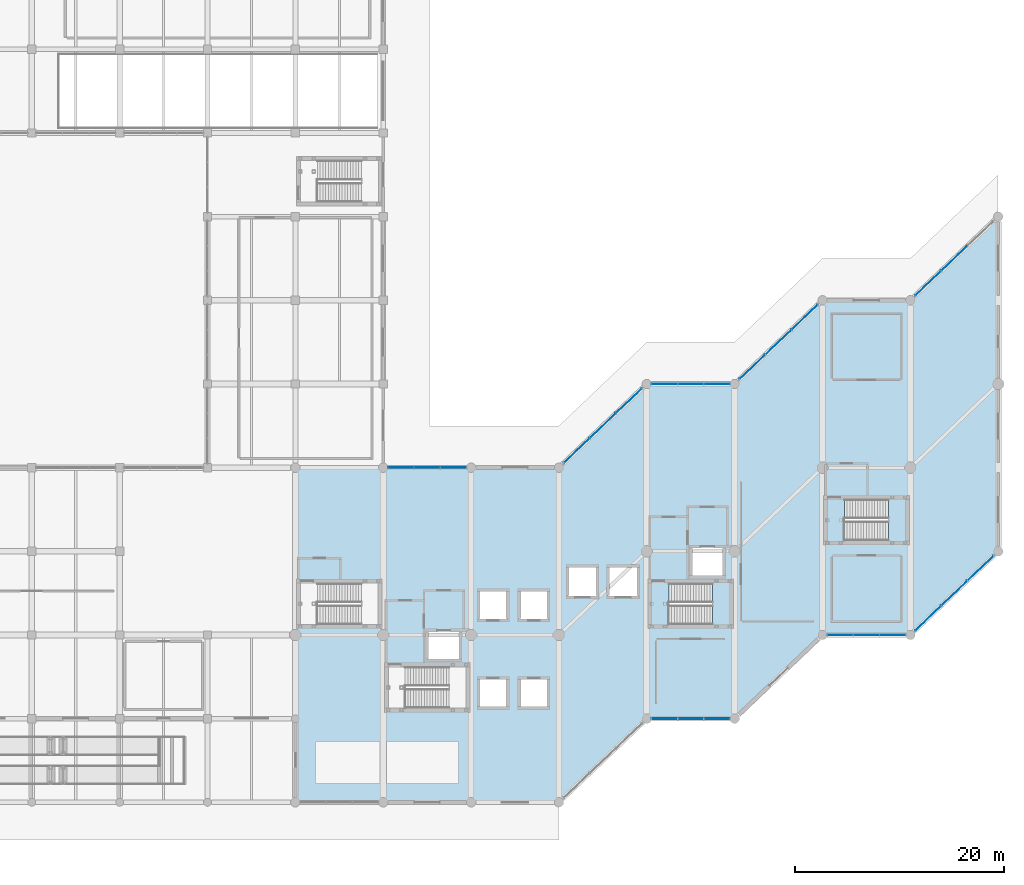
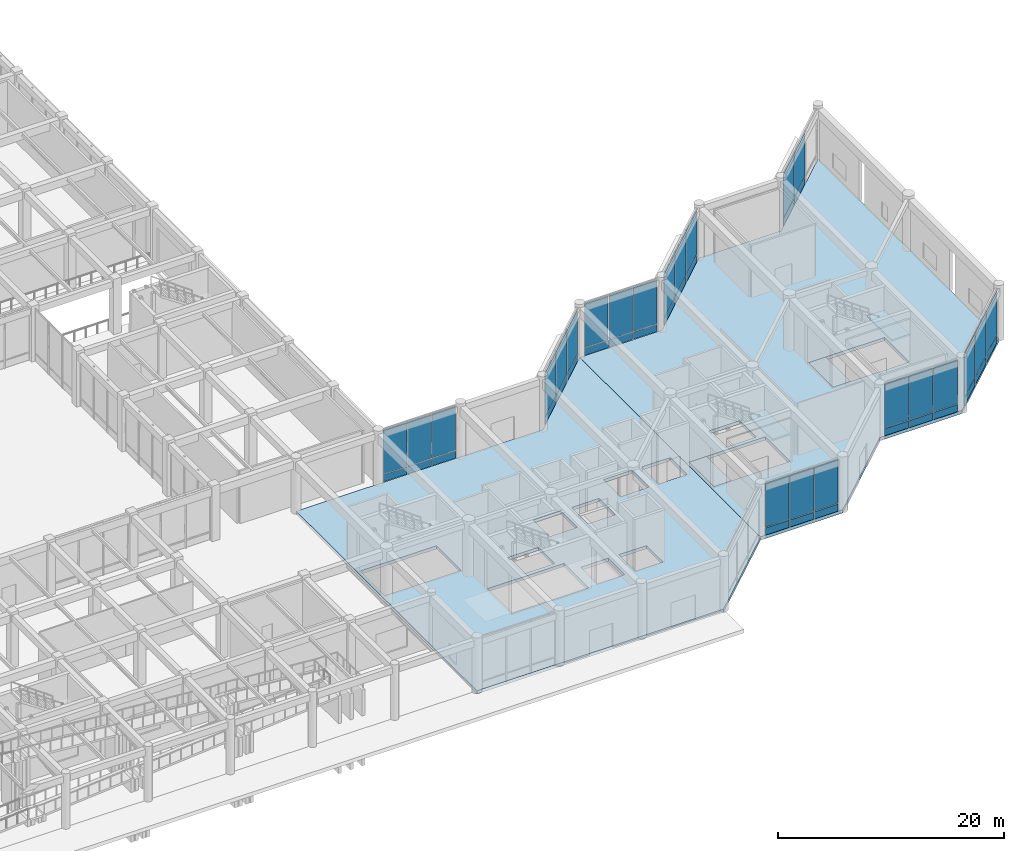
# One storey, part 47 of 76: 46 plates, 6 slabs, 10 elements without a shape of their own.
"""IFC4 building model written with IfcOpenShell, lengths in metres."""

from ifc_helpers import new_model, si_unit, direction, frame, origin, origin_2d, place, context, subcontext, project, spatial, polyline, rectangle, outline, extrude, material, layer, layer_set, type_object, element, aggregate, save


model = new_model("IFC4")

# Units and contexts
model_context = context("Model", 3, precision=1e-05, world=origin(), true_north=direction((0.0, 1.0)))
body_context = subcontext(model_context, "Body", "Model", "MODEL_VIEW")
ifc_project = project(units=[si_unit("LENGTHUNIT", "METRE"), si_unit("AREAUNIT", "SQUARE_METRE"), si_unit("VOLUMEUNIT", "CUBIC_METRE"), si_unit("PLANEANGLEUNIT", "RADIAN"), si_unit("MASSUNIT", "GRAM", prefix="KILO")], contexts=[model_context])

# Site, building, storey
site_placement = place(None, origin())
site = spatial("IfcSite", under=ifc_project, at=site_placement, CompositionType="ELEMENT")
building_placement = place(site_placement, origin())
building = spatial("IfcBuilding", under=site, at=building_placement, Name="Naruveol Harbour Congress Hotel", CompositionType="ELEMENT")
storey_placement = place(building_placement, origin())
storey = spatial("IfcBuildingStorey", under=building, at=storey_placement, Name="L00", CompositionType="ELEMENT", Elevation=0.0)

# Curtain wall, plates
ifc_material_1 = material(Name="Low-E Curtain Wall System", Category="glass")
ifc_layer_1 = layer(ifc_material_1, 0.179931640625)
ifc_layer_set_1 = layer_set([ifc_layer_1], Name="Low-E Curtain Wall System")
curtain_wall_type_1 = type_object("IfcCurtainWallType", Name="UNITISED CURTAIN WALL CW-V5N-47 7500X5720", PredefinedType="USERDEFINED", material=ifc_layer_set_1)
curtain_wall_1_placement = place(storey_placement, origin())
curtain_wall_1 = element("IfcCurtainWall", 1, at=curtain_wall_1_placement, inside=storey, type_object=curtain_wall_type_1, Name="Unitised curtain wall CW-V5N-47 L00", ObjectType="UNITISED GLAZING", PredefinedType="USERDEFINED")
ifc_material_2 = material(Name="Anodised Aluminium Spandrel", Category="aluminium")
ifc_layer_2 = layer(ifc_material_2, 0.054931640625)
ifc_layer_set_2 = layer_set([ifc_layer_2], Name="Anodised Aluminium Spandrel")
plate_type_1 = type_object("IfcPlateType", Name="INSULATED CERAMIC SPANDREL PANEL 55", PredefinedType="CURTAIN_PANEL", material=ifc_layer_set_2)
plate_1_placement = place(storey_placement, frame((127.699951171875, 32.010009765625, 0.0400390625), z_axis=(0.0, 0.0, 1.0), x_axis=(1.0, 0.0, 0.0)))
plate_1 = element("IfcPlate", 2, at=plate_1_placement, type_object=plate_type_1, Name="Curtain wall spandrel panel CW-L00-0127-PS0", PredefinedType="CURTAIN_PANEL", context=body_context, shape_type="SweptSolid", body=[
    extrude(rectangle(XDim=2.419921875, YDim=0.054931640625, at=origin_2d()), origin(), (0.0, 0.0, 1.0), 0.77001953125),
])
plate_2_placement = place(storey_placement, frame((130.199951171875, 32.010009765625, 0.0400390625), z_axis=(0.0, 0.0, 1.0), x_axis=(1.0, 0.0, 0.0)))
plate_2 = element("IfcPlate", 3, at=plate_2_placement, type_object=plate_type_1, Name="Curtain wall spandrel panel CW-L00-0127-PS1", PredefinedType="CURTAIN_PANEL", context=body_context, shape_type="SweptSolid", body=[
    extrude(rectangle(XDim=2.419921875, YDim=0.054931640625, at=origin_2d()), origin(), (0.0, 0.0, 1.0), 0.77001953125),
])
plate_3_placement = place(storey_placement, frame((132.699951171875, 32.010009765625, 0.0400390625), z_axis=(0.0, 0.0, 1.0), x_axis=(1.0, 0.0, 0.0)))
plate_3 = element("IfcPlate", 4, at=plate_3_placement, type_object=plate_type_1, Name="Curtain wall spandrel panel CW-L00-0127-PS2", PredefinedType="CURTAIN_PANEL", context=body_context, shape_type="SweptSolid", body=[
    extrude(rectangle(XDim=2.419921875, YDim=0.054931640625, at=origin_2d()), origin(), (0.0, 0.0, 1.0), 0.77001953125),
])

ifc_material_3 = material(Name="Low-E Curtain Wall System", Category="glass")
ifc_layer_3 = layer(ifc_material_3, 0.179931640625)
ifc_layer_set_3 = layer_set([ifc_layer_3], Name="Low-E Curtain Wall System")
curtain_wall_type_2 = type_object("IfcCurtainWallType", Name="UNITISED CURTAIN WALL CW-V5N-49 10357X5720", PredefinedType="USERDEFINED", material=ifc_layer_set_3)
curtain_wall_2_placement = place(storey_placement, origin())
curtain_wall_2 = element("IfcCurtainWall", 5, at=curtain_wall_2_placement, inside=storey, type_object=curtain_wall_type_2, Name="Unitised curtain wall CW-V5N-49 L00", ObjectType="UNITISED GLAZING", PredefinedType="USERDEFINED")
plate_4_placement = place(storey_placement, frame((144.4931640625, 33.626708984375, 0.0400390625), z_axis=(0.0, 0.0, 1.0), x_axis=(0.724183897459, 0.689606904447, 0.0)))
plate_4 = element("IfcPlate", 6, at=plate_4_placement, type_object=plate_type_1, Name="Curtain wall spandrel panel CW-L00-0129-PS0", PredefinedType="CURTAIN_PANEL", context=body_context, shape_type="SweptSolid", body=[
    extrude(rectangle(XDim=3.3720703125, YDim=0.054931640625, at=origin_2d()), origin(), (0.0, 0.0, 1.0), 0.77001953125),
])
plate_5_placement = place(storey_placement, frame((146.9931640625, 36.007080078125, 0.0400390625), z_axis=(0.0, 0.0, 1.0), x_axis=(0.724183897459, 0.689606904447, 0.0)))
plate_5 = element("IfcPlate", 7, at=plate_5_placement, type_object=plate_type_1, Name="Curtain wall spandrel panel CW-L00-0129-PS1", PredefinedType="CURTAIN_PANEL", context=body_context, shape_type="SweptSolid", body=[
    extrude(rectangle(XDim=3.3720703125, YDim=0.054931640625, at=origin_2d()), origin(), (0.0, 0.0, 1.0), 0.77001953125),
])
plate_6_placement = place(storey_placement, frame((149.4931640625, 38.387939453125, 0.0400390625), z_axis=(0.0, 0.0, 1.0), x_axis=(0.724183897459, 0.689606904447, 0.0)))
plate_6 = element("IfcPlate", 8, at=plate_6_placement, type_object=plate_type_1, Name="Curtain wall spandrel panel CW-L00-0129-PS2", PredefinedType="CURTAIN_PANEL", context=body_context, shape_type="SweptSolid", body=[
    extrude(rectangle(XDim=3.3720703125, YDim=0.054931640625, at=origin_2d()), origin(), (0.0, 0.0, 1.0), 0.77001953125),
])

ifc_material_4 = material(Name="Low-E Curtain Wall System", Category="glass")
ifc_layer_4 = layer(ifc_material_4, 0.179931640625)
ifc_layer_set_4 = layer_set([ifc_layer_4], Name="Low-E Curtain Wall System")
curtain_wall_type_3 = type_object("IfcCurtainWallType", Name="UNITISED CURTAIN WALL CW-V5S-46 7500X5720", PredefinedType="USERDEFINED", material=ifc_layer_set_4)
curtain_wall_3_placement = place(storey_placement, origin())
curtain_wall_3 = element("IfcCurtainWall", 9, at=curtain_wall_3_placement, inside=storey, type_object=curtain_wall_type_3, Name="Unitised curtain wall CW-V5S-46 L00", ObjectType="UNITISED GLAZING", PredefinedType="USERDEFINED")
plate_7_placement = place(storey_placement, frame((157.89990234375, 7.989990234375, 0.0400390625), z_axis=(0.0, 0.0, 1.0), x_axis=(-1.0, 0.0, 0.0)))
plate_7 = element("IfcPlate", 10, at=plate_7_placement, type_object=plate_type_1, Name="Curtain wall spandrel panel CW-L00-0130-PS0", PredefinedType="CURTAIN_PANEL", context=body_context, shape_type="SweptSolid", body=[
    extrude(rectangle(XDim=2.419921875, YDim=0.054931640625, at=origin_2d()), origin(), (0.0, 0.0, 1.0), 0.77001953125),
])
plate_8_placement = place(storey_placement, frame((155.39990234375, 7.989990234375, 0.0400390625), z_axis=(0.0, 0.0, 1.0), x_axis=(-1.0, 0.0, 0.0)))
plate_8 = element("IfcPlate", 11, at=plate_8_placement, type_object=plate_type_1, Name="Curtain wall spandrel panel CW-L00-0130-PS1", PredefinedType="CURTAIN_PANEL", context=body_context, shape_type="SweptSolid", body=[
    extrude(rectangle(XDim=2.419921875, YDim=0.054931640625, at=origin_2d()), origin(), (0.0, 0.0, 1.0), 0.77001953125),
])
plate_9_placement = place(storey_placement, frame((152.89990234375, 7.989990234375, 0.0400390625), z_axis=(0.0, 0.0, 1.0), x_axis=(-1.0, 0.0, 0.0)))
plate_9 = element("IfcPlate", 12, at=plate_9_placement, type_object=plate_type_1, Name="Curtain wall spandrel panel CW-L00-0130-PS2", PredefinedType="CURTAIN_PANEL", context=body_context, shape_type="SweptSolid", body=[
    extrude(rectangle(XDim=2.419921875, YDim=0.054931640625, at=origin_2d()), origin(), (0.0, 0.0, 1.0), 0.77001953125),
])

curtain_wall_4_placement = place(storey_placement, origin())
curtain_wall_4 = element("IfcCurtainWall", 13, at=curtain_wall_4_placement, inside=storey, type_object=curtain_wall_type_1, Name="Unitised curtain wall CW-V5N-47 L00", ObjectType="UNITISED GLAZING", PredefinedType="USERDEFINED")
plate_10_placement = place(storey_placement, frame((152.89990234375, 40.010009765625, 0.0400390625), z_axis=(0.0, 0.0, 1.0), x_axis=(1.0, 0.0, 0.0)))
plate_10 = element("IfcPlate", 14, at=plate_10_placement, type_object=plate_type_1, Name="Curtain wall spandrel panel CW-L00-0131-PS0", PredefinedType="CURTAIN_PANEL", context=body_context, shape_type="SweptSolid", body=[
    extrude(rectangle(XDim=2.419921875, YDim=0.054931640625, at=origin_2d()), origin(), (0.0, 0.0, 1.0), 0.77001953125),
])
plate_11_placement = place(storey_placement, frame((155.39990234375, 40.010009765625, 0.0400390625), z_axis=(0.0, 0.0, 1.0), x_axis=(1.0, 0.0, 0.0)))
plate_11 = element("IfcPlate", 15, at=plate_11_placement, type_object=plate_type_1, Name="Curtain wall spandrel panel CW-L00-0131-PS1", PredefinedType="CURTAIN_PANEL", context=body_context, shape_type="SweptSolid", body=[
    extrude(rectangle(XDim=2.419921875, YDim=0.054931640625, at=origin_2d()), origin(), (0.0, 0.0, 1.0), 0.77001953125),
])
plate_12_placement = place(storey_placement, frame((157.89990234375, 40.010009765625, 0.0400390625), z_axis=(0.0, 0.0, 1.0), x_axis=(1.0, 0.0, 0.0)))
plate_12 = element("IfcPlate", 16, at=plate_12_placement, type_object=plate_type_1, Name="Curtain wall spandrel panel CW-L00-0131-PS2", PredefinedType="CURTAIN_PANEL", context=body_context, shape_type="SweptSolid", body=[
    extrude(rectangle(XDim=2.419921875, YDim=0.054931640625, at=origin_2d()), origin(), (0.0, 0.0, 1.0), 0.77001953125),
])

curtain_wall_5_placement = place(storey_placement, origin())
curtain_wall_5 = element("IfcCurtainWall", 17, at=curtain_wall_5_placement, inside=storey, type_object=curtain_wall_type_2, Name="Unitised curtain wall CW-V5N-49 L00", ObjectType="UNITISED GLAZING", PredefinedType="USERDEFINED")
plate_13_placement = place(storey_placement, frame((161.293212890625, 41.626708984375, 0.0400390625), z_axis=(0.0, 0.0, 1.0), x_axis=(0.724183897459, 0.689606904447, 0.0)))
plate_13 = element("IfcPlate", 18, at=plate_13_placement, type_object=plate_type_1, Name="Curtain wall spandrel panel CW-L00-0132-PS0", PredefinedType="CURTAIN_PANEL", context=body_context, shape_type="SweptSolid", body=[
    extrude(rectangle(XDim=3.3720703125, YDim=0.054931640625, at=origin_2d()), origin(), (0.0, 0.0, 1.0), 0.77001953125),
])
plate_14_placement = place(storey_placement, frame((163.793212890625, 44.007080078125, 0.0400390625), z_axis=(0.0, 0.0, 1.0), x_axis=(0.724183897459, 0.689606904447, 0.0)))
plate_14 = element("IfcPlate", 19, at=plate_14_placement, type_object=plate_type_1, Name="Curtain wall spandrel panel CW-L00-0132-PS1", PredefinedType="CURTAIN_PANEL", context=body_context, shape_type="SweptSolid", body=[
    extrude(rectangle(XDim=3.3720703125, YDim=0.054931640625, at=origin_2d()), origin(), (0.0, 0.0, 1.0), 0.77001953125),
])
plate_15_placement = place(storey_placement, frame((166.293212890625, 46.387939453125, 0.0400390625), z_axis=(0.0, 0.0, 1.0), x_axis=(0.724183897459, 0.689606904447, 0.0)))
plate_15 = element("IfcPlate", 20, at=plate_15_placement, type_object=plate_type_1, Name="Curtain wall spandrel panel CW-L00-0132-PS2", PredefinedType="CURTAIN_PANEL", context=body_context, shape_type="SweptSolid", body=[
    extrude(rectangle(XDim=3.3720703125, YDim=0.054931640625, at=origin_2d()), origin(), (0.0, 0.0, 1.0), 0.77001953125),
])

curtain_wall_6_placement = place(storey_placement, origin())
curtain_wall_6 = element("IfcCurtainWall", 21, at=curtain_wall_6_placement, inside=storey, type_object=curtain_wall_type_3, Name="Unitised curtain wall CW-V5S-46 L00", ObjectType="UNITISED GLAZING", PredefinedType="USERDEFINED")
plate_16_placement = place(storey_placement, frame((174.699951171875, 15.989990234375, 0.0400390625), z_axis=(0.0, 0.0, 1.0), x_axis=(-1.0, 0.0, 0.0)))
plate_16 = element("IfcPlate", 22, at=plate_16_placement, type_object=plate_type_1, Name="Curtain wall spandrel panel CW-L00-0133-PS0", PredefinedType="CURTAIN_PANEL", context=body_context, shape_type="SweptSolid", body=[
    extrude(rectangle(XDim=2.419921875, YDim=0.054931640625, at=origin_2d()), origin(), (0.0, 0.0, 1.0), 0.77001953125),
])
plate_17_placement = place(storey_placement, frame((172.199951171875, 15.989990234375, 0.0400390625), z_axis=(0.0, 0.0, 1.0), x_axis=(-1.0, 0.0, 0.0)))
plate_17 = element("IfcPlate", 23, at=plate_17_placement, type_object=plate_type_1, Name="Curtain wall spandrel panel CW-L00-0133-PS1", PredefinedType="CURTAIN_PANEL", context=body_context, shape_type="SweptSolid", body=[
    extrude(rectangle(XDim=2.419921875, YDim=0.054931640625, at=origin_2d()), origin(), (0.0, 0.0, 1.0), 0.77001953125),
])
plate_18_placement = place(storey_placement, frame((169.699951171875, 15.989990234375, 0.0400390625), z_axis=(0.0, 0.0, 1.0), x_axis=(-1.0, 0.0, 0.0)))
plate_18 = element("IfcPlate", 24, at=plate_18_placement, type_object=plate_type_1, Name="Curtain wall spandrel panel CW-L00-0133-PS2", PredefinedType="CURTAIN_PANEL", context=body_context, shape_type="SweptSolid", body=[
    extrude(rectangle(XDim=2.419921875, YDim=0.054931640625, at=origin_2d()), origin(), (0.0, 0.0, 1.0), 0.77001953125),
])

ifc_material_5 = material(Name="Low-E Curtain Wall System", Category="glass")
ifc_layer_5 = layer(ifc_material_5, 0.179931640625)
ifc_layer_set_5 = layer_set([ifc_layer_5], Name="Low-E Curtain Wall System")
curtain_wall_type_4 = type_object("IfcCurtainWallType", Name="UNITISED CURTAIN WALL CW-V5S-48 10357X5720", PredefinedType="USERDEFINED", material=ifc_layer_set_5)
curtain_wall_7_placement = place(storey_placement, origin())
curtain_wall_7 = element("IfcCurtainWall", 25, at=curtain_wall_7_placement, inside=storey, type_object=curtain_wall_type_4, Name="Unitised curtain wall CW-V5S-48 L00", ObjectType="UNITISED GLAZING", PredefinedType="USERDEFINED")
plate_19_placement = place(storey_placement, frame((183.10693359375, 22.373291015625, 0.0400390625), z_axis=(0.0, 0.0, 1.0), x_axis=(-0.724183897459, -0.689606904447, 0.0)))
plate_19 = element("IfcPlate", 26, at=plate_19_placement, type_object=plate_type_1, Name="Curtain wall spandrel panel CW-L00-0134-PS0", PredefinedType="CURTAIN_PANEL", context=body_context, shape_type="SweptSolid", body=[
    extrude(rectangle(XDim=3.3720703125, YDim=0.054931640625, at=origin_2d()), origin(), (0.0, 0.0, 1.0), 0.77001953125),
])
plate_20_placement = place(storey_placement, frame((180.60693359375, 19.992919921875, 0.0400390625), z_axis=(0.0, 0.0, 1.0), x_axis=(-0.724183897459, -0.689606904447, 0.0)))
plate_20 = element("IfcPlate", 27, at=plate_20_placement, type_object=plate_type_1, Name="Curtain wall spandrel panel CW-L00-0134-PS1", PredefinedType="CURTAIN_PANEL", context=body_context, shape_type="SweptSolid", body=[
    extrude(rectangle(XDim=3.3720703125, YDim=0.054931640625, at=origin_2d()), origin(), (0.0, 0.0, 1.0), 0.77001953125),
])
plate_21_placement = place(storey_placement, frame((178.10693359375, 17.612060546875, 0.0400390625), z_axis=(0.0, 0.0, 1.0), x_axis=(-0.724183897459, -0.689606904447, 0.0)))
plate_21 = element("IfcPlate", 28, at=plate_21_placement, type_object=plate_type_1, Name="Curtain wall spandrel panel CW-L00-0134-PS2", PredefinedType="CURTAIN_PANEL", context=body_context, shape_type="SweptSolid", body=[
    extrude(rectangle(XDim=3.3720703125, YDim=0.054931640625, at=origin_2d()), origin(), (0.0, 0.0, 1.0), 0.77001953125),
])

curtain_wall_8_placement = place(storey_placement, origin())
curtain_wall_8 = element("IfcCurtainWall", 29, at=curtain_wall_8_placement, inside=storey, type_object=curtain_wall_type_2, Name="Unitised curtain wall CW-V5N-49 L00", ObjectType="UNITISED GLAZING", PredefinedType="USERDEFINED")
plate_22_placement = place(storey_placement, frame((178.093017578125, 49.626708984375, 0.0400390625), z_axis=(0.0, 0.0, 1.0), x_axis=(0.724183897459, 0.689606904447, 0.0)))
plate_22 = element("IfcPlate", 30, at=plate_22_placement, type_object=plate_type_1, Name="Curtain wall spandrel panel CW-L00-0135-PS0", PredefinedType="CURTAIN_PANEL", context=body_context, shape_type="SweptSolid", body=[
    extrude(rectangle(XDim=3.3720703125, YDim=0.054931640625, at=origin_2d()), origin(), (0.0, 0.0, 1.0), 0.77001953125),
])
plate_23_placement = place(storey_placement, frame((180.593017578125, 52.007080078125, 0.0400390625), z_axis=(0.0, 0.0, 1.0), x_axis=(0.724183897459, 0.689606904447, 0.0)))
plate_23 = element("IfcPlate", 31, at=plate_23_placement, type_object=plate_type_1, Name="Curtain wall spandrel panel CW-L00-0135-PS1", PredefinedType="CURTAIN_PANEL", context=body_context, shape_type="SweptSolid", body=[
    extrude(rectangle(XDim=3.3720703125, YDim=0.054931640625, at=origin_2d()), origin(), (0.0, 0.0, 1.0), 0.77001953125),
])

# Plate
ifc_material_6 = material(Name="Low-E Insulated Glass", Category="glass")
ifc_layer_6 = layer(ifc_material_6, 0.0419921875)
ifc_layer_set_6 = layer_set([ifc_layer_6], Name="Low-E Insulated Glass")
plate_type_2 = type_object("IfcPlateType", Name="LOW-E TRIPLE GLAZED CURTAIN PANEL 42", PredefinedType="CURTAIN_PANEL", material=ifc_layer_set_6)
plate_24_placement = place(storey_placement, frame((127.699951171875, 32.010009765625, 0.89013671875), z_axis=(0.0, 0.0, 1.0), x_axis=(1.0, 0.0, 0.0)))
plate_24 = element("IfcPlate", 32, at=plate_24_placement, type_object=plate_type_2, Name="Curtain wall vision panel CW-L00-0127-PG0", PredefinedType="CURTAIN_PANEL", context=body_context, shape_type="SweptSolid", body=[
    extrude(rectangle(XDim=2.419921875, YDim=0.0419921875, at=origin_2d()), origin(), (0.0, 0.0, 1.0), 4.7099609375),
])

plate_25_placement = place(storey_placement, frame((130.199951171875, 32.010009765625, 0.89013671875), z_axis=(0.0, 0.0, 1.0), x_axis=(1.0, 0.0, 0.0)))
plate_25 = element("IfcPlate", 33, at=plate_25_placement, type_object=plate_type_2, Name="Curtain wall vision panel CW-L00-0127-PG1", PredefinedType="CURTAIN_PANEL", context=body_context, shape_type="SweptSolid", body=[
    extrude(rectangle(XDim=2.419921875, YDim=0.0419921875, at=origin_2d()), origin(), (0.0, 0.0, 1.0), 4.7099609375),
])

plate_26_placement = place(storey_placement, frame((132.699951171875, 32.010009765625, 0.89013671875), z_axis=(0.0, 0.0, 1.0), x_axis=(1.0, 0.0, 0.0)))
plate_26 = element("IfcPlate", 34, at=plate_26_placement, type_object=plate_type_2, Name="Curtain wall vision panel CW-L00-0127-PG2", PredefinedType="CURTAIN_PANEL", context=body_context, shape_type="SweptSolid", body=[
    extrude(rectangle(XDim=2.419921875, YDim=0.0419921875, at=origin_2d()), origin(), (0.0, 0.0, 1.0), 4.7099609375),
])

aggregate(curtain_wall_1, [plate_1, plate_24, plate_2, plate_25, plate_3, plate_26])

plate_27_placement = place(storey_placement, frame((144.4931640625, 33.626708984375, 0.89013671875), z_axis=(0.0, 0.0, 1.0), x_axis=(0.724183897459, 0.689606904447, 0.0)))
plate_27 = element("IfcPlate", 35, at=plate_27_placement, type_object=plate_type_2, Name="Curtain wall vision panel CW-L00-0129-PG0", PredefinedType="CURTAIN_PANEL", context=body_context, shape_type="SweptSolid", body=[
    extrude(rectangle(XDim=3.3720703125, YDim=0.0419921875, at=origin_2d()), origin(), (0.0, 0.0, 1.0), 4.7099609375),
])

plate_28_placement = place(storey_placement, frame((146.9931640625, 36.007080078125, 0.89013671875), z_axis=(0.0, 0.0, 1.0), x_axis=(0.724183897459, 0.689606904447, 0.0)))
plate_28 = element("IfcPlate", 36, at=plate_28_placement, type_object=plate_type_2, Name="Curtain wall vision panel CW-L00-0129-PG1", PredefinedType="CURTAIN_PANEL", context=body_context, shape_type="SweptSolid", body=[
    extrude(rectangle(XDim=3.3720703125, YDim=0.0419921875, at=origin_2d()), origin(), (0.0, 0.0, 1.0), 4.7099609375),
])

plate_29_placement = place(storey_placement, frame((149.4931640625, 38.387939453125, 0.89013671875), z_axis=(0.0, 0.0, 1.0), x_axis=(0.724183897459, 0.689606904447, 0.0)))
plate_29 = element("IfcPlate", 37, at=plate_29_placement, type_object=plate_type_2, Name="Curtain wall vision panel CW-L00-0129-PG2", PredefinedType="CURTAIN_PANEL", context=body_context, shape_type="SweptSolid", body=[
    extrude(rectangle(XDim=3.3720703125, YDim=0.0419921875, at=origin_2d()), origin(), (0.0, 0.0, 1.0), 4.7099609375),
])

aggregate(curtain_wall_2, [plate_4, plate_27, plate_5, plate_28, plate_6, plate_29])

plate_30_placement = place(storey_placement, frame((157.89990234375, 7.989990234375, 0.89013671875), z_axis=(0.0, 0.0, 1.0), x_axis=(-1.0, 0.0, 0.0)))
plate_30 = element("IfcPlate", 38, at=plate_30_placement, type_object=plate_type_2, Name="Curtain wall vision panel CW-L00-0130-PG0", PredefinedType="CURTAIN_PANEL", context=body_context, shape_type="SweptSolid", body=[
    extrude(rectangle(XDim=2.419921875, YDim=0.0419921875, at=origin_2d()), origin(), (0.0, 0.0, 1.0), 4.7099609375),
])

plate_31_placement = place(storey_placement, frame((155.39990234375, 7.989990234375, 0.89013671875), z_axis=(0.0, 0.0, 1.0), x_axis=(-1.0, 0.0, 0.0)))
plate_31 = element("IfcPlate", 39, at=plate_31_placement, type_object=plate_type_2, Name="Curtain wall vision panel CW-L00-0130-PG1", PredefinedType="CURTAIN_PANEL", context=body_context, shape_type="SweptSolid", body=[
    extrude(rectangle(XDim=2.419921875, YDim=0.0419921875, at=origin_2d()), origin(), (0.0, 0.0, 1.0), 4.7099609375),
])

plate_32_placement = place(storey_placement, frame((152.89990234375, 7.989990234375, 0.89013671875), z_axis=(0.0, 0.0, 1.0), x_axis=(-1.0, 0.0, 0.0)))
plate_32 = element("IfcPlate", 40, at=plate_32_placement, type_object=plate_type_2, Name="Curtain wall vision panel CW-L00-0130-PG2", PredefinedType="CURTAIN_PANEL", context=body_context, shape_type="SweptSolid", body=[
    extrude(rectangle(XDim=2.419921875, YDim=0.0419921875, at=origin_2d()), origin(), (0.0, 0.0, 1.0), 4.7099609375),
])

aggregate(curtain_wall_3, [plate_7, plate_30, plate_8, plate_31, plate_9, plate_32])

plate_33_placement = place(storey_placement, frame((152.89990234375, 40.010009765625, 0.89013671875), z_axis=(0.0, 0.0, 1.0), x_axis=(1.0, 0.0, 0.0)))
plate_33 = element("IfcPlate", 41, at=plate_33_placement, type_object=plate_type_2, Name="Curtain wall vision panel CW-L00-0131-PG0", PredefinedType="CURTAIN_PANEL", context=body_context, shape_type="SweptSolid", body=[
    extrude(rectangle(XDim=2.419921875, YDim=0.0419921875, at=origin_2d()), origin(), (0.0, 0.0, 1.0), 4.7099609375),
])

plate_34_placement = place(storey_placement, frame((155.39990234375, 40.010009765625, 0.89013671875), z_axis=(0.0, 0.0, 1.0), x_axis=(1.0, 0.0, 0.0)))
plate_34 = element("IfcPlate", 42, at=plate_34_placement, type_object=plate_type_2, Name="Curtain wall vision panel CW-L00-0131-PG1", PredefinedType="CURTAIN_PANEL", context=body_context, shape_type="SweptSolid", body=[
    extrude(rectangle(XDim=2.419921875, YDim=0.0419921875, at=origin_2d()), origin(), (0.0, 0.0, 1.0), 4.7099609375),
])

plate_35_placement = place(storey_placement, frame((157.89990234375, 40.010009765625, 0.89013671875), z_axis=(0.0, 0.0, 1.0), x_axis=(1.0, 0.0, 0.0)))
plate_35 = element("IfcPlate", 43, at=plate_35_placement, type_object=plate_type_2, Name="Curtain wall vision panel CW-L00-0131-PG2", PredefinedType="CURTAIN_PANEL", context=body_context, shape_type="SweptSolid", body=[
    extrude(rectangle(XDim=2.419921875, YDim=0.0419921875, at=origin_2d()), origin(), (0.0, 0.0, 1.0), 4.7099609375),
])

aggregate(curtain_wall_4, [plate_10, plate_33, plate_11, plate_34, plate_12, plate_35])

plate_36_placement = place(storey_placement, frame((161.293212890625, 41.626708984375, 0.89013671875), z_axis=(0.0, 0.0, 1.0), x_axis=(0.724183897459, 0.689606904447, 0.0)))
plate_36 = element("IfcPlate", 44, at=plate_36_placement, type_object=plate_type_2, Name="Curtain wall vision panel CW-L00-0132-PG0", PredefinedType="CURTAIN_PANEL", context=body_context, shape_type="SweptSolid", body=[
    extrude(rectangle(XDim=3.3720703125, YDim=0.0419921875, at=origin_2d()), origin(), (0.0, 0.0, 1.0), 4.7099609375),
])

plate_37_placement = place(storey_placement, frame((163.793212890625, 44.007080078125, 0.89013671875), z_axis=(0.0, 0.0, 1.0), x_axis=(0.724183897459, 0.689606904447, 0.0)))
plate_37 = element("IfcPlate", 45, at=plate_37_placement, type_object=plate_type_2, Name="Curtain wall vision panel CW-L00-0132-PG1", PredefinedType="CURTAIN_PANEL", context=body_context, shape_type="SweptSolid", body=[
    extrude(rectangle(XDim=3.3720703125, YDim=0.0419921875, at=origin_2d()), origin(), (0.0, 0.0, 1.0), 4.7099609375),
])

plate_38_placement = place(storey_placement, frame((166.293212890625, 46.387939453125, 0.89013671875), z_axis=(0.0, 0.0, 1.0), x_axis=(0.724183897459, 0.689606904447, 0.0)))
plate_38 = element("IfcPlate", 46, at=plate_38_placement, type_object=plate_type_2, Name="Curtain wall vision panel CW-L00-0132-PG2", PredefinedType="CURTAIN_PANEL", context=body_context, shape_type="SweptSolid", body=[
    extrude(rectangle(XDim=3.3720703125, YDim=0.0419921875, at=origin_2d()), origin(), (0.0, 0.0, 1.0), 4.7099609375),
])

aggregate(curtain_wall_5, [plate_13, plate_36, plate_14, plate_37, plate_15, plate_38])

plate_39_placement = place(storey_placement, frame((174.699951171875, 15.989990234375, 0.89013671875), z_axis=(0.0, 0.0, 1.0), x_axis=(-1.0, 0.0, 0.0)))
plate_39 = element("IfcPlate", 47, at=plate_39_placement, type_object=plate_type_2, Name="Curtain wall vision panel CW-L00-0133-PG0", PredefinedType="CURTAIN_PANEL", context=body_context, shape_type="SweptSolid", body=[
    extrude(rectangle(XDim=2.419921875, YDim=0.0419921875, at=origin_2d()), origin(), (0.0, 0.0, 1.0), 4.7099609375),
])

plate_40_placement = place(storey_placement, frame((172.199951171875, 15.989990234375, 0.89013671875), z_axis=(0.0, 0.0, 1.0), x_axis=(-1.0, 0.0, 0.0)))
plate_40 = element("IfcPlate", 48, at=plate_40_placement, type_object=plate_type_2, Name="Curtain wall vision panel CW-L00-0133-PG1", PredefinedType="CURTAIN_PANEL", context=body_context, shape_type="SweptSolid", body=[
    extrude(rectangle(XDim=2.419921875, YDim=0.0419921875, at=origin_2d()), origin(), (0.0, 0.0, 1.0), 4.7099609375),
])

plate_41_placement = place(storey_placement, frame((169.699951171875, 15.989990234375, 0.89013671875), z_axis=(0.0, 0.0, 1.0), x_axis=(-1.0, 0.0, 0.0)))
plate_41 = element("IfcPlate", 49, at=plate_41_placement, type_object=plate_type_2, Name="Curtain wall vision panel CW-L00-0133-PG2", PredefinedType="CURTAIN_PANEL", context=body_context, shape_type="SweptSolid", body=[
    extrude(rectangle(XDim=2.419921875, YDim=0.0419921875, at=origin_2d()), origin(), (0.0, 0.0, 1.0), 4.7099609375),
])

aggregate(curtain_wall_6, [plate_16, plate_39, plate_17, plate_40, plate_18, plate_41])

plate_42_placement = place(storey_placement, frame((183.10693359375, 22.373291015625, 0.89013671875), z_axis=(0.0, 0.0, 1.0), x_axis=(-0.724183897459, -0.689606904447, 0.0)))
plate_42 = element("IfcPlate", 50, at=plate_42_placement, type_object=plate_type_2, Name="Curtain wall vision panel CW-L00-0134-PG0", PredefinedType="CURTAIN_PANEL", context=body_context, shape_type="SweptSolid", body=[
    extrude(rectangle(XDim=3.3720703125, YDim=0.0419921875, at=origin_2d()), origin(), (0.0, 0.0, 1.0), 4.7099609375),
])

plate_43_placement = place(storey_placement, frame((180.60693359375, 19.992919921875, 0.89013671875), z_axis=(0.0, 0.0, 1.0), x_axis=(-0.724183897459, -0.689606904447, 0.0)))
plate_43 = element("IfcPlate", 51, at=plate_43_placement, type_object=plate_type_2, Name="Curtain wall vision panel CW-L00-0134-PG1", PredefinedType="CURTAIN_PANEL", context=body_context, shape_type="SweptSolid", body=[
    extrude(rectangle(XDim=3.3720703125, YDim=0.0419921875, at=origin_2d()), origin(), (0.0, 0.0, 1.0), 4.7099609375),
])

plate_44_placement = place(storey_placement, frame((178.10693359375, 17.612060546875, 0.89013671875), z_axis=(0.0, 0.0, 1.0), x_axis=(-0.724183897459, -0.689606904447, 0.0)))
plate_44 = element("IfcPlate", 52, at=plate_44_placement, type_object=plate_type_2, Name="Curtain wall vision panel CW-L00-0134-PG2", PredefinedType="CURTAIN_PANEL", context=body_context, shape_type="SweptSolid", body=[
    extrude(rectangle(XDim=3.3720703125, YDim=0.0419921875, at=origin_2d()), origin(), (0.0, 0.0, 1.0), 4.7099609375),
])

aggregate(curtain_wall_7, [plate_19, plate_42, plate_20, plate_43, plate_21, plate_44])

plate_45_placement = place(storey_placement, frame((178.093017578125, 49.626708984375, 0.89013671875), z_axis=(0.0, 0.0, 1.0), x_axis=(0.724183897459, 0.689606904447, 0.0)))
plate_45 = element("IfcPlate", 53, at=plate_45_placement, type_object=plate_type_2, Name="Curtain wall vision panel CW-L00-0135-PG0", PredefinedType="CURTAIN_PANEL", context=body_context, shape_type="SweptSolid", body=[
    extrude(rectangle(XDim=3.3720703125, YDim=0.0419921875, at=origin_2d()), origin(), (0.0, 0.0, 1.0), 4.7099609375),
])

plate_46_placement = place(storey_placement, frame((180.593017578125, 52.007080078125, 0.89013671875), z_axis=(0.0, 0.0, 1.0), x_axis=(0.724183897459, 0.689606904447, 0.0)))
plate_46 = element("IfcPlate", 54, at=plate_46_placement, type_object=plate_type_2, Name="Curtain wall vision panel CW-L00-0135-PG1", PredefinedType="CURTAIN_PANEL", context=body_context, shape_type="SweptSolid", body=[
    extrude(rectangle(XDim=3.3720703125, YDim=0.0419921875, at=origin_2d()), origin(), (0.0, 0.0, 1.0), 4.7099609375),
])

aggregate(curtain_wall_8, [plate_22, plate_45, plate_23, plate_46])

# Slabs
ifc_material_7 = material(Name="Concrete C40/50", Category="concrete")
ifc_layer_7 = layer(ifc_material_7, 0.35009765625)
ifc_layer_set_7 = layer_set([ifc_layer_7], Name="Concrete C40/50")
slab_type_1 = type_object("IfcSlabType", Name="RC GROUND CONCOURSE SLAB 350", PredefinedType="FLOOR", material=ifc_layer_set_7)
slab_1_placement = place(storey_placement, frame((0.0, 0.0, -0.35009765625)))
element("IfcSlab", 55, at=slab_1_placement, inside=storey, type_object=slab_type_1, Name="Level L00 Waterfront hotel arrival west slab", PredefinedType="FLOOR", context=body_context, shape_type="SweptSolid", body=[
    extrude(outline(polyline([(117.60009765625, 0.0), (126.0, 0.0), (134.39990234375, 0.0), (142.800048828125, 0.0), (151.199951171875, 8.0), (151.199951171875, 40.0), (142.800048828125, 32.0), (134.39990234375, 32.0), (126.0, 32.0), (117.60009765625, 32.0), (117.60009765625, 0.0)]), holes=[polyline([(126.300048828125, 8.800048828125), (134.10009765625, 8.800048828125), (134.10009765625, 13.159912109375), (126.300048828125, 13.159912109375), (126.300048828125, 8.800048828125)]), polyline([(117.89990234375, 16.800048828125), (125.699951171875, 16.800048828125), (125.699951171875, 21.159912109375), (117.89990234375, 21.159912109375), (117.89990234375, 16.800048828125)]), polyline([(135.10009765625, 17.39990234375), (137.89990234375, 17.39990234375), (137.89990234375, 20.300048828125), (135.10009765625, 20.300048828125), (135.10009765625, 17.39990234375)]), polyline([(139.0, 17.39990234375), (141.800048828125, 17.39990234375), (141.800048828125, 20.300048828125), (139.0, 20.300048828125), (139.0, 17.39990234375)]), polyline([(135.10009765625, 9.0), (137.89990234375, 9.0), (137.89990234375, 11.89990234375), (135.10009765625, 11.89990234375), (135.10009765625, 9.0)]), polyline([(139.0, 9.0), (141.800048828125, 9.0), (141.800048828125, 11.89990234375), (139.0, 11.89990234375), (139.0, 9.0)]), polyline([(130.199951171875, 13.550048828125), (133.39990234375, 13.550048828125), (133.39990234375, 16.449951171875), (130.199951171875, 16.449951171875), (130.199951171875, 13.550048828125)]), polyline([(143.60009765625, 19.60009765625), (146.5, 19.60009765625), (146.5, 22.60009765625), (143.60009765625, 22.60009765625), (143.60009765625, 19.60009765625)]), polyline([(147.5, 19.60009765625), (150.39990234375, 19.60009765625), (150.39990234375, 22.60009765625), (147.5, 22.60009765625), (147.5, 19.60009765625)])]), origin(), (0.0, 0.0, 1.0), 0.35009765625),
])
slab_2_placement = place(storey_placement, frame((0.0, 0.0, -0.35009765625)))
element("IfcSlab", 56, at=slab_2_placement, inside=storey, type_object=slab_type_1, Name="Level L00 Waterfront hotel arrival east slab", PredefinedType="FLOOR", context=body_context, shape_type="SweptSolid", body=[
    extrude(outline(polyline([(151.199951171875, 8.0), (159.60009765625, 8.0), (168.0, 16.0), (176.39990234375, 16.0), (184.800048828125, 24.0), (184.800048828125, 56.0), (176.39990234375, 48.0), (168.0, 48.0), (159.60009765625, 40.0), (151.199951171875, 40.0), (151.199951171875, 8.0)]), holes=[polyline([(151.5, 16.800048828125), (159.300048828125, 16.800048828125), (159.300048828125, 21.159912109375), (151.5, 21.159912109375), (151.5, 16.800048828125)]), polyline([(168.300048828125, 24.800048828125), (176.10009765625, 24.800048828125), (176.10009765625, 29.159912109375), (168.300048828125, 29.159912109375), (168.300048828125, 24.800048828125)]), polyline([(155.39990234375, 21.550048828125), (158.60009765625, 21.550048828125), (158.60009765625, 24.449951171875), (155.39990234375, 24.449951171875), (155.39990234375, 21.550048828125)])]), origin(), (0.0, 0.0, 1.0), 0.35009765625),
])
ifc_material_8 = material(Name="Concrete C40/50", Category="concrete")
ifc_layer_8 = layer(ifc_material_8, 0.179931640625)
ifc_layer_set_8 = layer_set([ifc_layer_8], Name="Concrete C40/50")
slab_type_2 = type_object("IfcSlabType", Name="RC STAIR HALF LANDING SLAB 180", PredefinedType="LANDING", material=ifc_layer_set_8)
slab_3_placement = place(storey_placement, frame((0.0, 0.0, -0.179931640625)))
element("IfcSlab", 57, at=slab_3_placement, inside=storey, type_object=slab_type_2, Name="Stair ST2 L00 floor landing", PredefinedType="LANDING", context=body_context, shape_type="SweptSolid", body=[
    extrude(outline(polyline([(151.5, 16.800048828125), (153.300048828125, 16.800048828125), (153.300048828125, 21.159912109375), (151.5, 21.159912109375), (151.5, 16.800048828125)])), origin(), (0.0, 0.0, 1.0), 0.179931640625),
])

# Stair, slab
ifc_material_9 = material(Name="Concrete C40/50", Category="concrete")
stair_type = type_object("IfcStairType", Name="RC DOG LEG ESCAPE STAIR 1800W H6000", PredefinedType="HALF_TURN_STAIR", material=ifc_material_9)
stair_1_placement = place(storey_placement, origin())
stair_1 = element("IfcStair", 58, at=stair_1_placement, inside=storey, type_object=stair_type, Name="Special Escape Stair ST2 L00 to L01", PredefinedType="HALF_TURN_STAIR")
slab_4_placement = place(storey_placement, frame((0.0, 0.0, 2.820068359375)))
slab_4 = element("IfcSlab", 59, at=slab_4_placement, type_object=slab_type_2, Name="ST2 L00 half landing", PredefinedType="LANDING", context=body_context, shape_type="SweptSolid", body=[
    extrude(outline(polyline([(157.5, 16.800048828125), (159.300048828125, 16.800048828125), (159.300048828125, 21.159912109375), (157.5, 21.159912109375), (157.5, 16.800048828125)])), origin(), (0.0, 0.0, 1.0), 0.179931640625),
])
aggregate(stair_1, [slab_4])

# Slab
slab_5_placement = place(storey_placement, frame((0.0, 0.0, -0.179931640625)))
element("IfcSlab", 60, at=slab_5_placement, inside=storey, type_object=slab_type_2, Name="Stair ST4 L00 floor landing", PredefinedType="LANDING", context=body_context, shape_type="SweptSolid", body=[
    extrude(outline(polyline([(168.300048828125, 24.800048828125), (170.10009765625, 24.800048828125), (170.10009765625, 29.159912109375), (168.300048828125, 29.159912109375), (168.300048828125, 24.800048828125)])), origin(), (0.0, 0.0, 1.0), 0.179931640625),
])

# Stair, slab
stair_2_placement = place(storey_placement, origin())
stair_2 = element("IfcStair", 61, at=stair_2_placement, inside=storey, type_object=stair_type, Name="Special Escape Stair ST4 L00 to L01", PredefinedType="HALF_TURN_STAIR")
slab_6_placement = place(storey_placement, frame((0.0, 0.0, 2.820068359375)))
slab_6 = element("IfcSlab", 62, at=slab_6_placement, type_object=slab_type_2, Name="ST4 L00 half landing", PredefinedType="LANDING", context=body_context, shape_type="SweptSolid", body=[
    extrude(outline(polyline([(174.300048828125, 24.800048828125), (176.10009765625, 24.800048828125), (176.10009765625, 29.159912109375), (174.300048828125, 29.159912109375), (174.300048828125, 24.800048828125)])), origin(), (0.0, 0.0, 1.0), 0.179931640625),
])
aggregate(stair_2, [slab_6])

save(model, "model.ifc")
